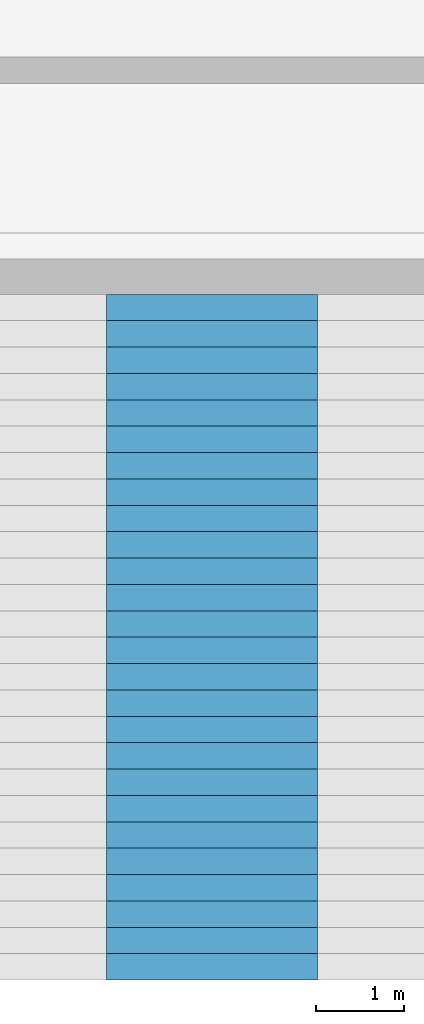
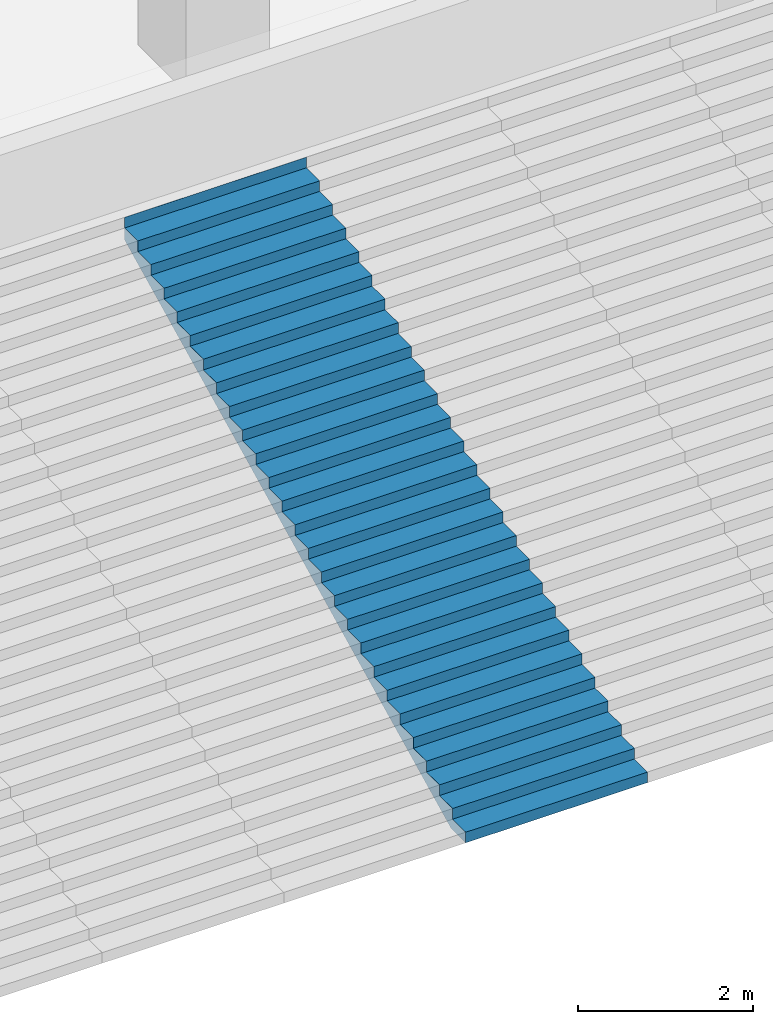
# One storey, part 29 of 45: 1 stair flight, 1 element without a shape of its own.
"""IFC4 building model written with IfcOpenShell, lengths in metres."""

from ifc_helpers import new_model, si_unit, direction, frame, origin, place, context, subcontext, project, spatial, triangles, material, type_object, element, aggregate, save


model = new_model("IFC4")

# Units and contexts
model_context = context("Model", 3, precision=1e-05, world=origin(), true_north=direction((0.0, 1.0)))
body_context = subcontext(model_context, "Body", "Model", "MODEL_VIEW")
ifc_project = project(units=[si_unit("LENGTHUNIT", "METRE"), si_unit("AREAUNIT", "SQUARE_METRE"), si_unit("VOLUMEUNIT", "CUBIC_METRE"), si_unit("PLANEANGLEUNIT", "RADIAN"), si_unit("MASSUNIT", "GRAM", prefix="KILO")], contexts=[model_context])

# Site, building, storey
site_placement = place(None, origin())
site = spatial("IfcSite", under=ifc_project, at=site_placement, CompositionType="ELEMENT")
building_placement = place(site_placement, origin())
building = spatial("IfcBuilding", under=site, at=building_placement, Name="Beryl Residences", CompositionType="ELEMENT")
storey_placement = place(building_placement, frame((0.0, 0.0, 5.0)))
storey = spatial("IfcBuildingStorey", under=building, at=storey_placement, Name="L01", CompositionType="ELEMENT", Elevation=5.0)

# Stair, stair flight
ifc_material_1 = material(Name="Precast concrete C40/50", Category="concrete")
stair_type = type_object("IfcStairType", Name="GS2 garden stair", PredefinedType="STRAIGHT_RUN_STAIR", material=ifc_material_1)
stair_placement = place(storey_placement, origin())
stair = element("IfcStair", 1, at=stair_placement, inside=storey, type_object=stair_type, Name="GS2 garden stair", PredefinedType="STRAIGHT_RUN_STAIR")
ifc_material_2 = material(Name="Precast concrete C40/50", Category="concrete")
stair_flight_type = type_object("IfcStairFlightType", Name="GF2 garden stair flight", PredefinedType="STRAIGHT", material=ifc_material_2)
stair_flight_placement = place(storey_placement, frame((3.60009765625, -42.199951171875, 0.0), z_axis=(0.0, 0.0, 1.0), x_axis=(0.0, 1.0, 0.0)))
stair_flight = element("IfcStairFlight", 2, at=stair_flight_placement, type_object=stair_flight_type, Name="GS2 flight 7", NumberOfRisers=27, NumberOfTreads=26, PredefinedType="STRAIGHT", RiserHeight=0.148148148, TreadLength=0.3, context=body_context, shape_type="Tessellation", body=[
    triangles([(0.0, -1.199951171875, 0.0), (0.0, -0.60009765625, 0.0), (0.0, 0.0, 0.0), (0.0, 0.60009765625, 0.0), (0.0, 1.199951171875, 0.0), (0.0, -1.199951171875, 0.148193359375), (0.0, -0.60009765625, 0.148193359375), (0.0, 0.0, 0.148193359375), (0.0, 0.60009765625, 0.148193359375), (0.0, 1.199951171875, 0.148193359375), (0.300048828125, -1.199951171875, 0.148193359375), (0.300048828125, -0.60009765625, 0.148193359375), (0.300048828125, 0.0, 0.148193359375), (0.300048828125, 0.60009765625, 0.148193359375), (0.300048828125, 1.199951171875, 0.148193359375), (0.300048828125, -1.199951171875, 0.29638671875), (0.300048828125, -0.60009765625, 0.29638671875), (0.300048828125, 0.0, 0.29638671875), (0.300048828125, 0.60009765625, 0.29638671875), (0.300048828125, 1.199951171875, 0.29638671875), (0.60009765625, -1.199951171875, 0.29638671875), (0.60009765625, -0.60009765625, 0.29638671875), (0.60009765625, 0.0, 0.29638671875), (0.60009765625, 0.60009765625, 0.29638671875), (0.60009765625, 1.199951171875, 0.29638671875), (0.60009765625, -1.199951171875, 0.4443359375), (0.60009765625, -0.60009765625, 0.4443359375), (0.60009765625, 0.0, 0.4443359375), (0.60009765625, 0.60009765625, 0.4443359375), (0.60009765625, 1.199951171875, 0.4443359375), (0.89990234375, -1.199951171875, 0.4443359375), (0.89990234375, -0.60009765625, 0.4443359375), (0.89990234375, 0.0, 0.4443359375), (0.89990234375, 0.60009765625, 0.4443359375), (0.89990234375, 1.199951171875, 0.4443359375), (0.89990234375, -1.199951171875, 0.592529296875), (0.89990234375, -0.60009765625, 0.592529296875), (0.89990234375, 0.0, 0.592529296875), (0.89990234375, 0.60009765625, 0.592529296875), (0.89990234375, 1.199951171875, 0.592529296875), (1.199951171875, -1.199951171875, 0.592529296875), (1.199951171875, -0.60009765625, 0.592529296875), (1.199951171875, 0.0, 0.592529296875), (1.199951171875, 0.60009765625, 0.592529296875), (1.199951171875, 1.199951171875, 0.592529296875), (1.199951171875, -1.199951171875, 0.74072265625), (1.199951171875, -0.60009765625, 0.74072265625), (1.199951171875, 0.0, 0.74072265625), (1.199951171875, 0.60009765625, 0.74072265625), (1.199951171875, 1.199951171875, 0.74072265625), (1.5, -1.199951171875, 0.74072265625), (1.5, -0.60009765625, 0.74072265625), (1.5, 0.0, 0.74072265625), (1.5, 0.60009765625, 0.74072265625), (1.5, 1.199951171875, 0.74072265625), (1.5, -1.199951171875, 0.888916015625), (1.5, -0.60009765625, 0.888916015625), (1.5, 0.0, 0.888916015625), (1.5, 0.60009765625, 0.888916015625), (1.5, 1.199951171875, 0.888916015625), (1.800048828125, -1.199951171875, 0.888916015625), (1.800048828125, -0.60009765625, 0.888916015625), (1.800048828125, 0.0, 0.888916015625), (1.800048828125, 0.60009765625, 0.888916015625), (1.800048828125, 1.199951171875, 0.888916015625), (1.800048828125, -1.199951171875, 1.037109375), (1.800048828125, -0.60009765625, 1.037109375), (1.800048828125, 0.0, 1.037109375), (1.800048828125, 0.60009765625, 1.037109375), (1.800048828125, 1.199951171875, 1.037109375), (2.10009765625, -1.199951171875, 1.037109375), (2.10009765625, -0.60009765625, 1.037109375), (2.10009765625, 0.0, 1.037109375), (2.10009765625, 0.60009765625, 1.037109375), (2.10009765625, 1.199951171875, 1.037109375), (2.10009765625, -1.199951171875, 1.185302734375), (2.10009765625, -0.60009765625, 1.185302734375), (2.10009765625, 0.0, 1.185302734375), (2.10009765625, 0.60009765625, 1.185302734375), (2.10009765625, 1.199951171875, 1.185302734375), (2.39990234375, -1.199951171875, 1.185302734375), (2.39990234375, -0.60009765625, 1.185302734375), (2.39990234375, 0.0, 1.185302734375), (2.39990234375, 0.60009765625, 1.185302734375), (2.39990234375, 1.199951171875, 1.185302734375), (2.39990234375, -1.199951171875, 1.333251953125), (2.39990234375, -0.60009765625, 1.333251953125), (2.39990234375, 0.0, 1.333251953125), (2.39990234375, 0.60009765625, 1.333251953125), (2.39990234375, 1.199951171875, 1.333251953125), (2.699951171875, -1.199951171875, 1.333251953125), (2.699951171875, -0.60009765625, 1.333251953125), (2.699951171875, 0.0, 1.333251953125), (2.699951171875, 0.60009765625, 1.333251953125), (2.699951171875, 1.199951171875, 1.333251953125), (2.699951171875, -1.199951171875, 1.4814453125), (2.699951171875, -0.60009765625, 1.4814453125), (2.699951171875, 0.0, 1.4814453125), (2.699951171875, 0.60009765625, 1.4814453125), (2.699951171875, 1.199951171875, 1.4814453125), (3.0, -1.199951171875, 1.4814453125), (3.0, -0.60009765625, 1.4814453125), (3.0, 0.0, 1.4814453125), (3.0, 0.60009765625, 1.4814453125), (3.0, 1.199951171875, 1.4814453125), (3.0, -1.199951171875, 1.629638671875), (3.0, -0.60009765625, 1.629638671875), (3.0, 0.0, 1.629638671875), (3.0, 0.60009765625, 1.629638671875), (3.0, 1.199951171875, 1.629638671875), (3.300048828125, -1.199951171875, 1.629638671875), (3.300048828125, -0.60009765625, 1.629638671875), (3.300048828125, 0.0, 1.629638671875), (3.300048828125, 0.60009765625, 1.629638671875), (3.300048828125, 1.199951171875, 1.629638671875), (3.300048828125, -1.199951171875, 1.77783203125), (3.300048828125, -0.60009765625, 1.77783203125), (3.300048828125, 0.0, 1.77783203125), (3.300048828125, 0.60009765625, 1.77783203125), (3.300048828125, 1.199951171875, 1.77783203125), (3.60009765625, -1.199951171875, 1.77783203125), (3.60009765625, -0.60009765625, 1.77783203125), (3.60009765625, 0.0, 1.77783203125), (3.60009765625, 0.60009765625, 1.77783203125), (3.60009765625, 1.199951171875, 1.77783203125), (3.60009765625, -1.199951171875, 1.926025390625), (3.60009765625, -0.60009765625, 1.926025390625), (3.60009765625, 0.0, 1.926025390625), (3.60009765625, 0.60009765625, 1.926025390625), (3.60009765625, 1.199951171875, 1.926025390625), (3.89990234375, -1.199951171875, 1.926025390625), (3.89990234375, -0.60009765625, 1.926025390625), (3.89990234375, 0.0, 1.926025390625), (3.89990234375, 0.60009765625, 1.926025390625), (3.89990234375, 1.199951171875, 1.926025390625), (3.89990234375, -1.199951171875, 2.073974609375), (3.89990234375, -0.60009765625, 2.073974609375), (3.89990234375, 0.0, 2.073974609375), (3.89990234375, 0.60009765625, 2.073974609375), (3.89990234375, 1.199951171875, 2.073974609375), (4.199951171875, -1.199951171875, 2.073974609375), (4.199951171875, -0.60009765625, 2.073974609375), (4.199951171875, 0.0, 2.073974609375), (4.199951171875, 0.60009765625, 2.073974609375), (4.199951171875, 1.199951171875, 2.073974609375), (4.199951171875, -1.199951171875, 2.22216796875), (4.199951171875, -0.60009765625, 2.22216796875), (4.199951171875, 0.0, 2.22216796875), (4.199951171875, 0.60009765625, 2.22216796875), (4.199951171875, 1.199951171875, 2.22216796875), (4.5, -1.199951171875, 2.22216796875), (4.5, -0.60009765625, 2.22216796875), (4.5, 0.0, 2.22216796875), (4.5, 0.60009765625, 2.22216796875), (4.5, 1.199951171875, 2.22216796875), (4.5, -1.199951171875, 2.370361328125), (4.5, -0.60009765625, 2.370361328125), (4.5, 0.0, 2.370361328125), (4.5, 0.60009765625, 2.370361328125), (4.5, 1.199951171875, 2.370361328125), (4.800048828125, -1.199951171875, 2.370361328125), (4.800048828125, -0.60009765625, 2.370361328125), (4.800048828125, 0.0, 2.370361328125), (4.800048828125, 0.60009765625, 2.370361328125), (4.800048828125, 1.199951171875, 2.370361328125), (4.800048828125, -1.199951171875, 2.5185546875), (4.800048828125, -0.60009765625, 2.5185546875), (4.800048828125, 0.0, 2.5185546875), (4.800048828125, 0.60009765625, 2.5185546875), (4.800048828125, 1.199951171875, 2.5185546875), (5.10009765625, -1.199951171875, 2.5185546875), (5.10009765625, -0.60009765625, 2.5185546875), (5.10009765625, 0.0, 2.5185546875), (5.10009765625, 0.60009765625, 2.5185546875), (5.10009765625, 1.199951171875, 2.5185546875), (5.10009765625, -1.199951171875, 2.666748046875), (5.10009765625, -0.60009765625, 2.666748046875), (5.10009765625, 0.0, 2.666748046875), (5.10009765625, 0.60009765625, 2.666748046875), (5.10009765625, 1.199951171875, 2.666748046875), (5.39990234375, -1.199951171875, 2.666748046875), (5.39990234375, -0.60009765625, 2.666748046875), (5.39990234375, 0.0, 2.666748046875), (5.39990234375, 0.60009765625, 2.666748046875), (5.39990234375, 1.199951171875, 2.666748046875), (5.39990234375, -1.199951171875, 2.814697265625), (5.39990234375, -0.60009765625, 2.814697265625), (5.39990234375, 0.0, 2.814697265625), (5.39990234375, 0.60009765625, 2.814697265625), (5.39990234375, 1.199951171875, 2.814697265625), (5.699951171875, -1.199951171875, 2.814697265625), (5.699951171875, -0.60009765625, 2.814697265625), (5.699951171875, 0.0, 2.814697265625), (5.699951171875, 0.60009765625, 2.814697265625), (5.699951171875, 1.199951171875, 2.814697265625), (5.699951171875, -1.199951171875, 2.962890625), (5.699951171875, -0.60009765625, 2.962890625), (5.699951171875, 0.0, 2.962890625), (5.699951171875, 0.60009765625, 2.962890625), (5.699951171875, 1.199951171875, 2.962890625), (6.0, -1.199951171875, 2.962890625), (6.0, -0.60009765625, 2.962890625), (6.0, 0.0, 2.962890625), (6.0, 0.60009765625, 2.962890625), (6.0, 1.199951171875, 2.962890625), (6.0, -1.199951171875, 3.111083984375), (6.0, -0.60009765625, 3.111083984375), (6.0, 0.0, 3.111083984375), (6.0, 0.60009765625, 3.111083984375), (6.0, 1.199951171875, 3.111083984375), (6.300048828125, -1.199951171875, 3.111083984375), (6.300048828125, -0.60009765625, 3.111083984375), (6.300048828125, 0.0, 3.111083984375), (6.300048828125, 0.60009765625, 3.111083984375), (6.300048828125, 1.199951171875, 3.111083984375), (6.300048828125, -1.199951171875, 3.25927734375), (6.300048828125, -0.60009765625, 3.25927734375), (6.300048828125, 0.0, 3.25927734375), (6.300048828125, 0.60009765625, 3.25927734375), (6.300048828125, 1.199951171875, 3.25927734375), (6.60009765625, -1.199951171875, 3.25927734375), (6.60009765625, -0.60009765625, 3.25927734375), (6.60009765625, 0.0, 3.25927734375), (6.60009765625, 0.60009765625, 3.25927734375), (6.60009765625, 1.199951171875, 3.25927734375), (6.60009765625, -1.199951171875, 3.407470703125), (6.60009765625, -0.60009765625, 3.407470703125), (6.60009765625, 0.0, 3.407470703125), (6.60009765625, 0.60009765625, 3.407470703125), (6.60009765625, 1.199951171875, 3.407470703125), (6.89990234375, -1.199951171875, 3.407470703125), (6.89990234375, -0.60009765625, 3.407470703125), (6.89990234375, 0.0, 3.407470703125), (6.89990234375, 0.60009765625, 3.407470703125), (6.89990234375, 1.199951171875, 3.407470703125), (6.89990234375, -1.199951171875, 3.5556640625), (6.89990234375, -0.60009765625, 3.5556640625), (6.89990234375, 0.0, 3.5556640625), (6.89990234375, 0.60009765625, 3.5556640625), (6.89990234375, 1.199951171875, 3.5556640625), (7.199951171875, -1.199951171875, 3.5556640625), (7.199951171875, -0.60009765625, 3.5556640625), (7.199951171875, 0.0, 3.5556640625), (7.199951171875, 0.60009765625, 3.5556640625), (7.199951171875, 1.199951171875, 3.5556640625), (7.199951171875, -1.199951171875, 3.70361328125), (7.199951171875, -0.60009765625, 3.70361328125), (7.199951171875, 0.0, 3.70361328125), (7.199951171875, 0.60009765625, 3.70361328125), (7.199951171875, 1.199951171875, 3.70361328125), (7.5, -1.199951171875, 3.70361328125), (7.5, -0.60009765625, 3.70361328125), (7.5, 0.0, 3.70361328125), (7.5, 0.60009765625, 3.70361328125), (7.5, 1.199951171875, 3.70361328125), (7.5, -1.199951171875, 3.851806640625), (7.5, -0.60009765625, 3.851806640625), (7.5, 0.0, 3.851806640625), (7.5, 0.60009765625, 3.851806640625), (7.5, 1.199951171875, 3.851806640625), (7.800048828125, -1.199951171875, 3.851806640625), (7.800048828125, -0.60009765625, 3.851806640625), (7.800048828125, 0.0, 3.851806640625), (7.800048828125, 0.60009765625, 3.851806640625), (7.800048828125, 1.199951171875, 3.851806640625), (7.800048828125, -1.199951171875, 4.0), (7.800048828125, -0.60009765625, 4.0), (7.800048828125, 0.0, 4.0), (7.800048828125, 0.60009765625, 4.0), (7.800048828125, 1.199951171875, 4.0), (7.801025390625, -1.199951171875, 4.0), (7.801025390625, -0.60009765625, 4.0), (7.801025390625, 0.0, 4.0), (7.801025390625, 0.60009765625, 4.0), (7.801025390625, 1.199951171875, 4.0), (7.801025390625, -1.199951171875, 3.6845703125), (7.801025390625, -0.60009765625, 3.6845703125), (7.801025390625, 0.0, 3.6845703125), (7.801025390625, 0.60009765625, 3.6845703125), (7.801025390625, 1.199951171875, 3.6845703125), (0.339599609375, -1.199951171875, 0.0), (0.339599609375, -0.60009765625, 0.0), (0.339599609375, 0.0, 0.0), (0.339599609375, 0.60009765625, 0.0), (0.339599609375, 1.199951171875, 0.0)], [[1, 6, 7], [1, 7, 2], [2, 7, 8], [2, 8, 3], [3, 8, 9], [3, 9, 4], [4, 9, 10], [4, 10, 5], [6, 11, 12], [6, 12, 7], [7, 12, 13], [7, 13, 8], [8, 13, 14], [8, 14, 9], [9, 14, 15], [9, 15, 10], [11, 16, 17], [11, 17, 12], [12, 17, 18], [12, 18, 13], [13, 18, 19], [13, 19, 14], [14, 19, 20], [14, 20, 15], [16, 21, 22], [16, 22, 17], [17, 22, 23], [17, 23, 18], [18, 23, 24], [18, 24, 19], [19, 24, 25], [19, 25, 20], [21, 26, 27], [21, 27, 22], [22, 27, 28], [22, 28, 23], [23, 28, 29], [23, 29, 24], [24, 29, 30], [24, 30, 25], [26, 31, 32], [26, 32, 27], [27, 32, 33], [27, 33, 28], [28, 33, 34], [28, 34, 29], [29, 34, 35], [29, 35, 30], [31, 36, 37], [31, 37, 32], [32, 37, 38], [32, 38, 33], [33, 38, 39], [33, 39, 34], [34, 39, 40], [34, 40, 35], [36, 41, 42], [36, 42, 37], [37, 42, 43], [37, 43, 38], [38, 43, 44], [38, 44, 39], [39, 44, 45], [39, 45, 40], [41, 46, 47], [41, 47, 42], [42, 47, 48], [42, 48, 43], [43, 48, 49], [43, 49, 44], [44, 49, 50], [44, 50, 45], [46, 51, 52], [46, 52, 47], [47, 52, 53], [47, 53, 48], [48, 53, 54], [48, 54, 49], [49, 54, 55], [49, 55, 50], [51, 56, 57], [51, 57, 52], [52, 57, 58], [52, 58, 53], [53, 58, 59], [53, 59, 54], [54, 59, 60], [54, 60, 55], [56, 61, 62], [56, 62, 57], [57, 62, 63], [57, 63, 58], [58, 63, 64], [58, 64, 59], [59, 64, 65], [59, 65, 60], [61, 66, 67], [61, 67, 62], [62, 67, 68], [62, 68, 63], [63, 68, 69], [63, 69, 64], [64, 69, 70], [64, 70, 65], [66, 71, 72], [66, 72, 67], [67, 72, 73], [67, 73, 68], [68, 73, 74], [68, 74, 69], [69, 74, 75], [69, 75, 70], [71, 76, 77], [71, 77, 72], [72, 77, 78], [72, 78, 73], [73, 78, 79], [73, 79, 74], [74, 79, 80], [74, 80, 75], [76, 81, 82], [76, 82, 77], [77, 82, 83], [77, 83, 78], [78, 83, 84], [78, 84, 79], [79, 84, 85], [79, 85, 80], [81, 86, 87], [81, 87, 82], [82, 87, 88], [82, 88, 83], [83, 88, 89], [83, 89, 84], [84, 89, 90], [84, 90, 85], [86, 91, 92], [86, 92, 87], [87, 92, 93], [87, 93, 88], [88, 93, 94], [88, 94, 89], [89, 94, 95], [89, 95, 90], [91, 96, 97], [91, 97, 92], [92, 97, 98], [92, 98, 93], [93, 98, 99], [93, 99, 94], [94, 99, 100], [94, 100, 95], [96, 101, 102], [96, 102, 97], [97, 102, 103], [97, 103, 98], [98, 103, 104], [98, 104, 99], [99, 104, 105], [99, 105, 100], [101, 106, 107], [101, 107, 102], [102, 107, 108], [102, 108, 103], [103, 108, 109], [103, 109, 104], [104, 109, 110], [104, 110, 105], [106, 111, 112], [106, 112, 107], [107, 112, 113], [107, 113, 108], [108, 113, 114], [108, 114, 109], [109, 114, 115], [109, 115, 110], [111, 116, 117], [111, 117, 112], [112, 117, 118], [112, 118, 113], [113, 118, 119], [113, 119, 114], [114, 119, 120], [114, 120, 115], [116, 121, 122], [116, 122, 117], [117, 122, 123], [117, 123, 118], [118, 123, 124], [118, 124, 119], [119, 124, 125], [119, 125, 120], [121, 126, 127], [121, 127, 122], [122, 127, 128], [122, 128, 123], [123, 128, 129], [123, 129, 124], [124, 129, 130], [124, 130, 125], [126, 131, 132], [126, 132, 127], [127, 132, 133], [127, 133, 128], [128, 133, 134], [128, 134, 129], [129, 134, 135], [129, 135, 130], [131, 136, 137], [131, 137, 132], [132, 137, 138], [132, 138, 133], [133, 138, 139], [133, 139, 134], [134, 139, 140], [134, 140, 135], [136, 141, 142], [136, 142, 137], [137, 142, 143], [137, 143, 138], [138, 143, 144], [138, 144, 139], [139, 144, 145], [139, 145, 140], [141, 146, 147], [141, 147, 142], [142, 147, 148], [142, 148, 143], [143, 148, 149], [143, 149, 144], [144, 149, 150], [144, 150, 145], [146, 151, 152], [146, 152, 147], [147, 152, 153], [147, 153, 148], [148, 153, 154], [148, 154, 149], [149, 154, 155], [149, 155, 150], [151, 156, 157], [151, 157, 152], [152, 157, 158], [152, 158, 153], [153, 158, 159], [153, 159, 154], [154, 159, 160], [154, 160, 155], [156, 161, 162], [156, 162, 157], [157, 162, 163], [157, 163, 158], [158, 163, 164], [158, 164, 159], [159, 164, 165], [159, 165, 160], [161, 166, 167], [161, 167, 162], [162, 167, 168], [162, 168, 163], [163, 168, 169], [163, 169, 164], [164, 169, 170], [164, 170, 165], [166, 171, 172], [166, 172, 167], [167, 172, 173], [167, 173, 168], [168, 173, 174], [168, 174, 169], [169, 174, 175], [169, 175, 170], [171, 176, 177], [171, 177, 172], [172, 177, 178], [172, 178, 173], [173, 178, 179], [173, 179, 174], [174, 179, 180], [174, 180, 175], [176, 181, 182], [176, 182, 177], [177, 182, 183], [177, 183, 178], [178, 183, 184], [178, 184, 179], [179, 184, 185], [179, 185, 180], [181, 186, 187], [181, 187, 182], [182, 187, 188], [182, 188, 183], [183, 188, 189], [183, 189, 184], [184, 189, 190], [184, 190, 185], [186, 191, 192], [186, 192, 187], [187, 192, 193], [187, 193, 188], [188, 193, 194], [188, 194, 189], [189, 194, 195], [189, 195, 190], [191, 196, 197], [191, 197, 192], [192, 197, 198], [192, 198, 193], [193, 198, 199], [193, 199, 194], [194, 199, 200], [194, 200, 195], [196, 201, 202], [196, 202, 197], [197, 202, 203], [197, 203, 198], [198, 203, 204], [198, 204, 199], [199, 204, 205], [199, 205, 200], [201, 206, 207], [201, 207, 202], [202, 207, 208], [202, 208, 203], [203, 208, 209], [203, 209, 204], [204, 209, 210], [204, 210, 205], [206, 211, 212], [206, 212, 207], [207, 212, 213], [207, 213, 208], [208, 213, 214], [208, 214, 209], [209, 214, 215], [209, 215, 210], [211, 216, 217], [211, 217, 212], [212, 217, 218], [212, 218, 213], [213, 218, 219], [213, 219, 214], [214, 219, 220], [214, 220, 215], [216, 221, 222], [216, 222, 217], [217, 222, 223], [217, 223, 218], [218, 223, 224], [218, 224, 219], [219, 224, 225], [219, 225, 220], [221, 226, 227], [221, 227, 222], [222, 227, 228], [222, 228, 223], [223, 228, 229], [223, 229, 224], [224, 229, 230], [224, 230, 225], [226, 231, 232], [226, 232, 227], [227, 232, 233], [227, 233, 228], [228, 233, 234], [228, 234, 229], [229, 234, 235], [229, 235, 230], [231, 236, 237], [231, 237, 232], [232, 237, 238], [232, 238, 233], [233, 238, 239], [233, 239, 234], [234, 239, 240], [234, 240, 235], [236, 241, 242], [236, 242, 237], [237, 242, 243], [237, 243, 238], [238, 243, 244], [238, 244, 239], [239, 244, 245], [239, 245, 240], [241, 246, 247], [241, 247, 242], [242, 247, 248], [242, 248, 243], [243, 248, 249], [243, 249, 244], [244, 249, 250], [244, 250, 245], [246, 251, 252], [246, 252, 247], [247, 252, 253], [247, 253, 248], [248, 253, 254], [248, 254, 249], [249, 254, 255], [249, 255, 250], [251, 256, 257], [251, 257, 252], [252, 257, 258], [252, 258, 253], [253, 258, 259], [253, 259, 254], [254, 259, 260], [254, 260, 255], [256, 261, 262], [256, 262, 257], [257, 262, 263], [257, 263, 258], [258, 263, 264], [258, 264, 259], [259, 264, 265], [259, 265, 260], [261, 266, 267], [261, 267, 262], [262, 267, 268], [262, 268, 263], [263, 268, 269], [263, 269, 264], [264, 269, 270], [264, 270, 265], [266, 271, 272], [266, 272, 267], [267, 272, 273], [267, 273, 268], [268, 273, 274], [268, 274, 269], [269, 274, 275], [269, 275, 270], [271, 276, 277], [271, 277, 272], [272, 277, 278], [272, 278, 273], [273, 278, 279], [273, 279, 274], [274, 279, 280], [274, 280, 275], [276, 281, 282], [276, 282, 277], [277, 282, 283], [277, 283, 278], [278, 283, 284], [278, 284, 279], [279, 284, 285], [279, 285, 280], [281, 1, 2], [281, 2, 282], [282, 2, 3], [282, 3, 283], [283, 3, 4], [283, 4, 284], [284, 4, 5], [284, 5, 285], [1, 281, 276], [5, 280, 285], [276, 271, 266], [280, 270, 275], [276, 266, 261], [280, 265, 270], [276, 261, 256], [280, 260, 265], [276, 256, 251], [280, 255, 260], [276, 251, 246], [280, 250, 255], [276, 246, 241], [280, 245, 250], [241, 236, 231], [245, 235, 240], [276, 241, 231], [280, 235, 245], [231, 226, 221], [235, 225, 230], [276, 231, 221], [280, 225, 235], [221, 216, 211], [225, 215, 220], [276, 221, 211], [280, 215, 225], [211, 206, 201], [215, 205, 210], [276, 211, 201], [280, 205, 215], [201, 196, 191], [205, 195, 200], [276, 201, 191], [280, 195, 205], [191, 186, 181], [195, 185, 190], [276, 191, 181], [280, 185, 195], [181, 176, 171], [185, 175, 180], [276, 181, 171], [280, 175, 185], [171, 166, 161], [175, 165, 170], [276, 171, 161], [280, 165, 175], [161, 156, 151], [165, 155, 160], [276, 161, 151], [280, 155, 165], [151, 146, 141], [155, 145, 150], [276, 151, 141], [280, 145, 155], [141, 136, 131], [145, 135, 140], [276, 141, 131], [280, 135, 145], [131, 126, 121], [135, 125, 130], [276, 131, 121], [280, 125, 135], [121, 116, 111], [125, 115, 120], [276, 121, 111], [280, 115, 125], [111, 106, 101], [115, 105, 110], [276, 111, 101], [280, 105, 115], [101, 96, 91], [105, 95, 100], [276, 101, 91], [280, 95, 105], [91, 86, 81], [95, 85, 90], [276, 91, 81], [280, 85, 95], [81, 76, 71], [85, 75, 80], [276, 81, 71], [280, 75, 85], [71, 66, 61], [75, 65, 70], [276, 71, 61], [280, 65, 75], [61, 56, 51], [65, 55, 60], [276, 61, 51], [280, 55, 65], [51, 46, 41], [55, 45, 50], [276, 51, 41], [280, 45, 55], [41, 36, 31], [45, 35, 40], [276, 41, 31], [280, 35, 45], [1, 276, 31], [5, 35, 280], [31, 26, 21], [35, 25, 30], [21, 16, 11], [25, 15, 20], [31, 21, 11], [35, 15, 25], [1, 31, 11], [5, 15, 35], [11, 6, 1], [15, 5, 10]], closed=True),
])
aggregate(stair, [stair_flight])

save(model, "model.ifc")
